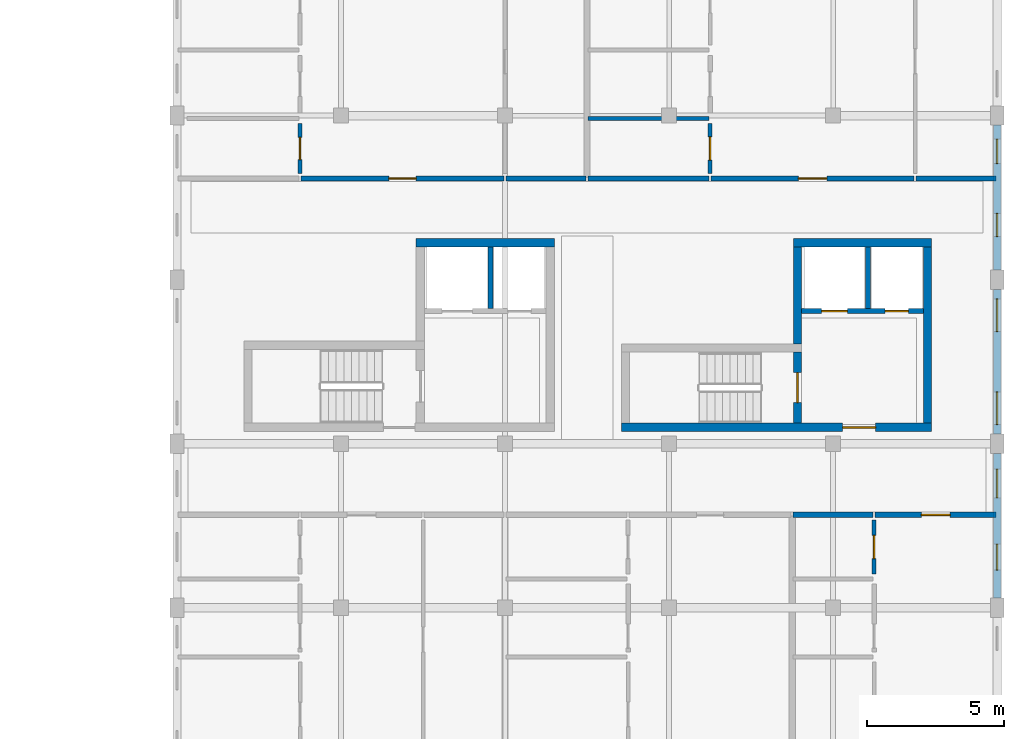
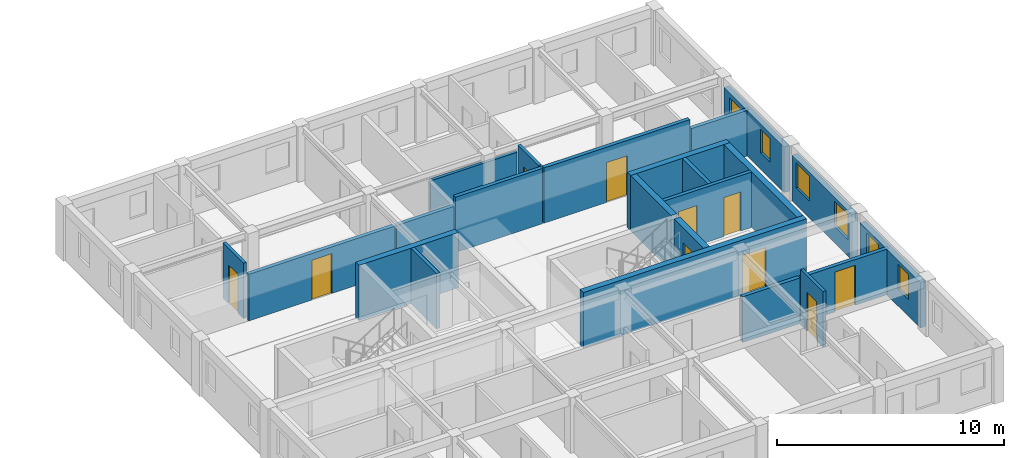
# One storey, part 22 of 28: 23 walls, 10 doors, 6 windows, 16 openings.
"""IFC4 building model written with IfcOpenShell, lengths in metres."""

from ifc_helpers import new_model, si_unit, direction, frame, frame_2d, origin, place, context, subcontext, project, spatial, rectangle, extrude, material, layer, layer_set, type_object, element, fill, save


model = new_model("IFC4")

# Units and contexts
model_context = context("Model", 3, precision=1e-05, world=origin(), true_north=direction((0.0, 1.0)))
body_context = subcontext(model_context, "Body", "Model", "MODEL_VIEW")
ifc_project = project(units=[si_unit("LENGTHUNIT", "METRE"), si_unit("AREAUNIT", "SQUARE_METRE"), si_unit("VOLUMEUNIT", "CUBIC_METRE"), si_unit("PLANEANGLEUNIT", "RADIAN"), si_unit("MASSUNIT", "GRAM", prefix="KILO"), si_unit("POWERUNIT", "WATT"), si_unit("THERMODYNAMICTEMPERATUREUNIT", "KELVIN")], contexts=[model_context])

# Site, building, storey
site_placement = place(None, origin())
site = spatial("IfcSite", under=ifc_project, at=site_placement, CompositionType="ELEMENT")
building_placement = place(site_placement, origin())
building = spatial("IfcBuilding", under=site, at=building_placement, Name="Ruvembo Vaulted Housing Court", CompositionType="ELEMENT")
storey_placement = place(building_placement, frame((0.0, 0.0, 23.699951171875)))
storey = spatial("IfcBuildingStorey", under=building, at=storey_placement, Name="L07", CompositionType="ELEMENT", Elevation=23.699951171875)

# Wall
ifc_material_1 = material(Name="Concrete C35/45", Category="concrete")
ifc_layer_1 = layer(ifc_material_1, 0.300048828125, Name="Concrete C35/45")
ifc_layer_set_1 = layer_set([ifc_layer_1], Name="Concrete C35/45")
wall_type_1 = type_object("IfcWallType", Name="WL-CORE-300", PredefinedType="SHEAR", material=ifc_layer_set_1)
wall_1_placement = place(storey_placement, frame((169.800048828125, 91.35009765625, 0.0), z_axis=(0.0, 0.0, 1.0), x_axis=(-1.0, 0.0, 0.0)))
element("IfcWall", 1, at=wall_1_placement, inside=storey, type_object=wall_type_1, Name="Core D1 L07 North Shear Wall", PredefinedType="SHEAR", context=body_context, shape_type="SweptSolid", body=[
    extrude(rectangle(XDim=5.050048828125, YDim=0.300048828125, at=frame_2d((2.52490234375, 0.0))), origin(), (0.0, 0.0, 1.0), 2.97509765625),
])

# Wall, opening, door
wall_2_placement = place(storey_placement, frame((172.25, 84.60009765625, 0.0), z_axis=(0.0, 0.0, 1.0), x_axis=(1.0, 0.0, 0.0)))
wall_2 = element("IfcWall", 2, at=wall_2_placement, inside=storey, type_object=wall_type_1, Name="Core D2 L07 South Shear Wall", PredefinedType="SHEAR", context=body_context, shape_type="SweptSolid", body=[
    extrude(rectangle(XDim=11.35009765625, YDim=0.300048828125, at=frame_2d((5.675048828125, 0.0))), origin(), (0.0, 0.0, 1.0), 2.97509765625),
])
opening_1_placement = place(wall_2_placement, frame((8.10009765625, 0.0, 0.0)))
opening_1 = element("IfcOpeningElement", 3, at=opening_1_placement, cuts=wall_2, Name="Opening LD3", PredefinedType="OPENING", context=body_context, shape_type="SweptSolid", body=[
    extrude(rectangle(XDim=1.199951171875, YDim=2.14990234375, at=frame_2d((0.60009765625, 1.074951171875))), frame((0.0, 0.159912109375, 0.0), z_axis=(0.0, -1.0, 0.0), x_axis=(1.0, 0.0, 0.0)), (0.0, 0.0, 1.0), 0.320068359375),
])
ifc_material_2 = material(Name="Galvanised Painted Steel", Category="steel")
door_type_1 = type_object("IfcDoorType", Name="DR-LOB-1200x2150", OperationType="NOTDEFINED", PredefinedType="DOOR", material=ifc_material_2)
door_1_placement = place(opening_1_placement, origin())
door_1 = element("IfcDoor", 4, at=door_1_placement, inside=storey, type_object=door_type_1, Name="Core D2 L07 Lobby Fire Door", OperationType="SINGLE_SWING_LEFT", OverallHeight=2.14990234375, OverallWidth=1.199951171875, PredefinedType="DOOR", context=body_context, shape_type="SweptSolid", body=[
    extrude(rectangle(XDim=1.199951171875, YDim=2.14990234375, at=frame_2d((0.60009765625, 1.074951171875))), frame((0.0, 0.02490234375, 0.0), z_axis=(0.0, -1.0, 0.0), x_axis=(1.0, 0.0, 0.0)), (0.0, 0.0, 1.0), 0.050048828125),
])
fill(opening_1, door_1)

wall_3_placement = place(storey_placement, frame((178.699951171875, 84.75, 0.0), z_axis=(0.0, 0.0, 1.0), x_axis=(0.0, 1.0, 0.0)))
wall_3 = element("IfcWall", 5, at=wall_3_placement, inside=storey, type_object=wall_type_1, Name="Core D2 L07 Stair-Lobby Shear Wall", PredefinedType="SHEAR", context=body_context, shape_type="SweptSolid", body=[
    extrude(rectangle(XDim=2.60009765625, YDim=0.300048828125, at=frame_2d((1.300048828125, 0.0))), origin(), (0.0, 0.0, 1.0), 2.97509765625),
])
opening_2_placement = place(wall_3_placement, frame((0.75, 0.0, 0.0)))
opening_2 = element("IfcOpeningElement", 6, at=opening_2_placement, cuts=wall_3, Name="Opening SD2", PredefinedType="OPENING", context=body_context, shape_type="SweptSolid", body=[
    extrude(rectangle(XDim=1.10009765625, YDim=2.14990234375, at=frame_2d((0.550048828125, 1.074951171875))), frame((0.0, 0.159912109375, 0.0), z_axis=(0.0, -1.0, 0.0), x_axis=(1.0, 0.0, 0.0)), (0.0, 0.0, 1.0), 0.320068359375),
])
door_type_2 = type_object("IfcDoorType", Name="DR-STAIR-1100x2150", OperationType="NOTDEFINED", PredefinedType="DOOR", material=ifc_material_2)
door_2_placement = place(opening_2_placement, origin())
door_2 = element("IfcDoor", 7, at=door_2_placement, inside=storey, type_object=door_type_2, Name="Stair ST-D2 L07 Fire Door", OperationType="SINGLE_SWING_RIGHT", OverallHeight=2.14990234375, OverallWidth=1.10009765625, PredefinedType="DOOR", context=body_context, shape_type="SweptSolid", body=[
    extrude(rectangle(XDim=1.10009765625, YDim=2.14990234375, at=frame_2d((0.550048828125, 1.074951171875))), frame((0.0, 0.02490234375, 0.0), z_axis=(0.0, -1.0, 0.0), x_axis=(1.0, 0.0, 0.0)), (0.0, 0.0, 1.0), 0.050048828125),
])
fill(opening_2, door_2)

# Walls
wall_4_placement = place(storey_placement, frame((183.60009765625, 91.35009765625, 0.0), z_axis=(0.0, 0.0, 1.0), x_axis=(-1.0, 0.0, 0.0)))
element("IfcWall", 8, at=wall_4_placement, inside=storey, type_object=wall_type_1, Name="Core D2 L07 North Shear Wall", PredefinedType="SHEAR", context=body_context, shape_type="SweptSolid", body=[
    extrude(rectangle(XDim=5.050048828125, YDim=0.300048828125, at=frame_2d((2.52490234375, 0.0))), origin(), (0.0, 0.0, 1.0), 2.97509765625),
])
wall_5_placement = place(storey_placement, frame((183.449951171875, 84.75, 0.0), z_axis=(0.0, 0.0, 1.0), x_axis=(0.0, 1.0, 0.0)))
element("IfcWall", 9, at=wall_5_placement, inside=storey, type_object=wall_type_1, Name="Core D2 L07 East Shear Wall", PredefinedType="SHEAR", context=body_context, shape_type="SweptSolid", body=[
    extrude(rectangle(XDim=6.449951171875, YDim=0.300048828125, at=frame_2d((3.22509765625, 0.0))), origin(), (0.0, 0.0, 1.0), 2.97509765625),
])
wall_6_placement = place(storey_placement, frame((178.699951171875, 87.64990234375, 0.0), z_axis=(0.0, 0.0, 1.0), x_axis=(0.0, 1.0, 0.0)))
element("IfcWall", 10, at=wall_6_placement, inside=storey, type_object=wall_type_1, Name="Core D2 L07 Upper West Shear Wall", PredefinedType="SHEAR", context=body_context, shape_type="SweptSolid", body=[
    extrude(rectangle(XDim=3.550048828125, YDim=0.300048828125, at=frame_2d((1.77490234375, 0.0))), origin(), (0.0, 0.0, 1.0), 2.97509765625),
])
ifc_material_3 = material(Name="Concrete Blockwork 190", Category="masonry")
ifc_layer_2 = layer(ifc_material_3, 0.18994140625, Name="Concrete Blockwork 190")
ifc_layer_set_2 = layer_set([ifc_layer_2], Name="Concrete Blockwork 190")
wall_type_2 = type_object("IfcWallType", Name="WL-CORR-190", PredefinedType="SOLIDWALL", material=ifc_layer_set_2)
wall_7_placement = place(storey_placement, frame((178.5400390625, 81.39990234375, 0.0), z_axis=(0.0, 0.0, 1.0), x_axis=(1.0, 0.0, 0.0)))
element("IfcWall", 11, at=wall_7_placement, inside=storey, type_object=wall_type_2, Name="L07 Flat D-L07-S3 Corridor Wall WL-INT-L07-01991", PredefinedType="SOLIDWALL", context=body_context, shape_type="SweptSolid", body=[
    extrude(rectangle(XDim=2.919921875, YDim=0.18994140625, at=frame_2d((1.4599609375, 0.0))), origin(), (0.0, 0.0, 1.0), 2.4580078125),
])

# Wall, opening, door
wall_8_placement = place(storey_placement, frame((181.5400390625, 81.39990234375, 0.0), z_axis=(0.0, 0.0, 1.0), x_axis=(1.0, 0.0, 0.0)))
wall_8 = element("IfcWall", 12, at=wall_8_placement, inside=storey, type_object=wall_type_2, Name="L07 Flat D-L07-S3 Entrance WL-INT-L07-01992", PredefinedType="SOLIDWALL", context=body_context, shape_type="SweptSolid", body=[
    extrude(rectangle(XDim=4.419921875, YDim=0.18994140625, at=frame_2d((2.2099609375, 0.0))), origin(), (0.0, 0.0, 1.0), 2.45703125),
])
opening_3_placement = place(wall_8_placement, frame((1.68505859375, 0.0, 0.0)))
opening_3 = element("IfcOpeningElement", 13, at=opening_3_placement, cuts=wall_8, Name="Opening FD3", PredefinedType="OPENING", context=body_context, shape_type="SweptSolid", body=[
    extrude(rectangle(XDim=1.050048828125, YDim=2.14990234375, at=frame_2d((0.52490234375, 1.074951171875))), frame((0.0, 0.10498046875, 0.0), z_axis=(0.0, -1.0, 0.0), x_axis=(1.0, 0.0, 0.0)), (0.0, 0.0, 1.0), 0.2099609375),
])
ifc_material_4 = material(Name="FSC Hardwood and Engineered Timber", Category="wood")
door_type_3 = type_object("IfcDoorType", Name="DR-FLAT-1050x2150", OperationType="NOTDEFINED", PredefinedType="DOOR", material=ifc_material_4)
door_3_placement = place(opening_3_placement, origin())
door_3 = element("IfcDoor", 14, at=door_3_placement, inside=storey, type_object=door_type_3, Name="L07 Flat D-L07-S3 Entrance Door DR-INT-L07-01115", OperationType="SINGLE_SWING_LEFT", OverallHeight=2.14990234375, OverallWidth=1.050048828125, PredefinedType="DOOR", context=body_context, shape_type="SweptSolid", body=[
    extrude(rectangle(XDim=1.050048828125, YDim=2.14990234375, at=frame_2d((0.52490234375, 1.074951171875))), frame((0.0, 0.02490234375, 0.0), z_axis=(0.0, -1.0, 0.0), x_axis=(1.0, 0.0, 0.0)), (0.0, 0.0, 1.0), 0.050048828125),
])
fill(opening_3, door_3)

wall_9_placement = place(storey_placement, frame((160.5400390625, 93.699951171875, 0.0), z_axis=(0.0, 0.0, 1.0), x_axis=(1.0, 0.0, 0.0)))
wall_9 = element("IfcWall", 15, at=wall_9_placement, inside=storey, type_object=wall_type_2, Name="L07 Flat D-L07-N1 Entrance WL-INT-L07-02000", PredefinedType="SOLIDWALL", context=body_context, shape_type="SweptSolid", body=[
    extrude(rectangle(XDim=7.419921875, YDim=0.18994140625, at=frame_2d((3.7099609375, 0.0))), origin(), (0.0, 0.0, 1.0), 2.508056640625),
])
opening_4_placement = place(wall_9_placement, frame((3.2099609375, 0.0, 0.0)))
opening_4 = element("IfcOpeningElement", 16, at=opening_4_placement, cuts=wall_9, Name="Opening FD1", PredefinedType="OPENING", context=body_context, shape_type="SweptSolid", body=[
    extrude(rectangle(XDim=1.0, YDim=2.14990234375, at=frame_2d((0.5, 1.074951171875))), frame((0.0, 0.10498046875, 0.0), z_axis=(0.0, -1.0, 0.0), x_axis=(1.0, 0.0, 0.0)), (0.0, 0.0, 1.0), 0.2099609375),
])
door_type_4 = type_object("IfcDoorType", Name="DR-FLAT-1000x2150", OperationType="NOTDEFINED", PredefinedType="DOOR", material=ifc_material_4)
door_4_placement = place(opening_4_placement, origin())
door_4 = element("IfcDoor", 17, at=door_4_placement, inside=storey, type_object=door_type_4, Name="L07 Flat D-L07-N1 Entrance Door DR-INT-L07-01119", OperationType="SINGLE_SWING_LEFT", OverallHeight=2.14990234375, OverallWidth=1.0, PredefinedType="DOOR", context=body_context, shape_type="SweptSolid", body=[
    extrude(rectangle(XDim=1.0, YDim=2.14990234375, at=frame_2d((0.5, 1.074951171875))), frame((0.0, 0.02490234375, 0.0), z_axis=(0.0, -1.0, 0.0), x_axis=(1.0, 0.0, 0.0)), (0.0, 0.0, 1.0), 0.050048828125),
])
fill(opening_4, door_4)

# Walls
wall_10_placement = place(storey_placement, frame((168.0400390625, 93.699951171875, 0.0), z_axis=(0.0, 0.0, 1.0), x_axis=(1.0, 0.0, 0.0)))
element("IfcWall", 18, at=wall_10_placement, inside=storey, type_object=wall_type_2, Name="L07 Flat D-L07-N1 Corridor Wall 2 WL-INT-L07-02006", PredefinedType="SOLIDWALL", context=body_context, shape_type="SweptSolid", body=[
    extrude(rectangle(XDim=2.919921875, YDim=0.18994140625, at=frame_2d((1.4599609375, 0.0))), origin(), (0.0, 0.0, 1.0), 2.508056640625),
])
wall_11_placement = place(storey_placement, frame((171.0400390625, 93.699951171875, 0.0), z_axis=(0.0, 0.0, 1.0), x_axis=(1.0, 0.0, 0.0)))
element("IfcWall", 19, at=wall_11_placement, inside=storey, type_object=wall_type_2, Name="L07 Flat D-L07-N2 Corridor Wall WL-INT-L07-02008", PredefinedType="SOLIDWALL", context=body_context, shape_type="SweptSolid", body=[
    extrude(rectangle(XDim=4.419921875, YDim=0.18994140625, at=frame_2d((2.2099609375, 0.0))), origin(), (0.0, 0.0, 1.0), 2.97509765625),
])

# Wall, opening, door
wall_12_placement = place(storey_placement, frame((175.5400390625, 93.699951171875, 0.0), z_axis=(0.0, 0.0, 1.0), x_axis=(1.0, 0.0, 0.0)))
wall_12 = element("IfcWall", 20, at=wall_12_placement, inside=storey, type_object=wall_type_2, Name="L07 Flat D-L07-N2 Entrance WL-INT-L07-02009", PredefinedType="SOLIDWALL", context=body_context, shape_type="SweptSolid", body=[
    extrude(rectangle(XDim=7.419921875, YDim=0.18994140625, at=frame_2d((3.7099609375, 0.0))), origin(), (0.0, 0.0, 1.0), 2.97509765625),
])
opening_5_placement = place(wall_12_placement, frame((3.18505859375, 0.0, 0.0)))
opening_5 = element("IfcOpeningElement", 21, at=opening_5_placement, cuts=wall_12, Name="Opening FD3", PredefinedType="OPENING", context=body_context, shape_type="SweptSolid", body=[
    extrude(rectangle(XDim=1.050048828125, YDim=2.14990234375, at=frame_2d((0.52490234375, 1.074951171875))), frame((0.0, 0.10498046875, 0.0), z_axis=(0.0, -1.0, 0.0), x_axis=(1.0, 0.0, 0.0)), (0.0, 0.0, 1.0), 0.2099609375),
])
door_5_placement = place(opening_5_placement, origin())
door_5 = element("IfcDoor", 22, at=door_5_placement, inside=storey, type_object=door_type_3, Name="L07 Flat D-L07-N2 Entrance Door DR-INT-L07-01124", OperationType="SINGLE_SWING_RIGHT", OverallHeight=2.14990234375, OverallWidth=1.050048828125, PredefinedType="DOOR", context=body_context, shape_type="SweptSolid", body=[
    extrude(rectangle(XDim=1.050048828125, YDim=2.14990234375, at=frame_2d((0.52490234375, 1.074951171875))), frame((0.0, 0.02490234375, 0.0), z_axis=(0.0, -1.0, 0.0), x_axis=(1.0, 0.0, 0.0)), (0.0, 0.0, 1.0), 0.050048828125),
])
fill(opening_5, door_5)

# Wall
wall_13_placement = place(storey_placement, frame((183.0400390625, 93.699951171875, 0.0), z_axis=(0.0, 0.0, 1.0), x_axis=(1.0, 0.0, 0.0)))
element("IfcWall", 23, at=wall_13_placement, inside=storey, type_object=wall_type_2, Name="L07 Flat D-L07-N2 Corridor Wall 2 WL-INT-L07-02015", PredefinedType="SOLIDWALL", context=body_context, shape_type="SweptSolid", body=[
    extrude(rectangle(XDim=2.919921875, YDim=0.18994140625, at=frame_2d((1.4599609375, 0.0))), origin(), (0.0, 0.0, 1.0), 2.45703125),
])

# Wall, openings, windows
ifc_material_5 = material(Name="Rendered Masonry 270", Category="masonry")
ifc_layer_3 = layer(ifc_material_5, 0.27001953125, Name="Rendered Masonry 270")
ifc_layer_set_3 = layer_set([ifc_layer_3], Name="Rendered Masonry 270")
wall_type_3 = type_object("IfcWallType", Name="WL-EXT-270", PredefinedType="STANDARD", material=ifc_layer_set_3)
wall_14_placement = place(storey_placement, frame((186.0, 78.35009765625, 0.0), z_axis=(0.0, 0.0, 1.0), x_axis=(0.0, 1.0, 0.0)))
wall_14 = element("IfcWall", 24, at=wall_14_placement, inside=storey, type_object=wall_type_3, Name="Block D L07 Exterior Wall EAST #2", PredefinedType="STANDARD", context=body_context, shape_type="SweptSolid", body=[
    extrude(rectangle(XDim=5.2998046875, YDim=0.27001953125, at=frame_2d((2.64990234375, 0.0))), origin(), (0.0, 0.0, 1.0), 2.45703125),
])
opening_6_placement = place(wall_14_placement, frame((1.030029296875, 0.0, 0.89990234375)))
opening_6 = element("IfcOpeningElement", 25, at=opening_6_placement, cuts=wall_14, Name="Opening W07", PredefinedType="OPENING", context=body_context, shape_type="SweptSolid", body=[
    extrude(rectangle(XDim=0.949951171875, YDim=1.35009765625, at=frame_2d((0.47509765625, 0.675048828125))), frame((0.0, 0.14501953125, 0.0), z_axis=(0.0, -1.0, 0.0), x_axis=(1.0, 0.0, 0.0)), (0.0, 0.0, 1.0), 0.2900390625),
])
opening_7_placement = place(wall_14_placement, frame((3.669921875, 0.0, 0.89990234375)))
opening_7 = element("IfcOpeningElement", 26, at=opening_7_placement, cuts=wall_14, Name="Opening W09", PredefinedType="OPENING", context=body_context, shape_type="SweptSolid", body=[
    extrude(rectangle(XDim=1.050048828125, YDim=1.35009765625, at=frame_2d((0.52490234375, 0.675048828125))), frame((0.0, 0.14501953125, 0.0), z_axis=(0.0, -1.0, 0.0), x_axis=(1.0, 0.0, 0.0)), (0.0, 0.0, 1.0), 0.2900390625),
])
ifc_material_6 = material(Name="Double Solar-Control Glazing in Aluminium Frame", Category="aluminium")
window_type_1 = type_object("IfcWindowType", Name="WIN-0950x1350", PartitioningType="SINGLE_PANEL", PredefinedType="WINDOW", material=ifc_material_6)
window_1_placement = place(opening_6_placement, origin())
window_1 = element("IfcWindow", 27, at=window_1_placement, inside=storey, type_object=window_type_1, Name="Block D L07 Window #1755", OverallHeight=1.35009765625, OverallWidth=0.949951171875, PartitioningType="SINGLE_PANEL", PredefinedType="WINDOW", context=body_context, shape_type="SweptSolid", body=[
    extrude(rectangle(XDim=0.949951171875, YDim=1.35009765625, at=frame_2d((0.47509765625, 0.675048828125))), frame((0.0, 0.030029296875, 0.0), z_axis=(0.0, -1.0, 0.0), x_axis=(1.0, 0.0, 0.0)), (0.0, 0.0, 1.0), 0.06005859375),
])
fill(opening_6, window_1)
window_type_2 = type_object("IfcWindowType", Name="WIN-1050x1350", PartitioningType="SINGLE_PANEL", PredefinedType="WINDOW", material=ifc_material_6)
window_2_placement = place(opening_7_placement, origin())
window_2 = element("IfcWindow", 28, at=window_2_placement, inside=storey, type_object=window_type_2, Name="Block D L07 Window #1756", OverallHeight=1.35009765625, OverallWidth=1.050048828125, PartitioningType="SINGLE_PANEL", PredefinedType="WINDOW", context=body_context, shape_type="SweptSolid", body=[
    extrude(rectangle(XDim=1.050048828125, YDim=1.35009765625, at=frame_2d((0.52490234375, 0.675048828125))), frame((0.0, 0.030029296875, 0.0), z_axis=(0.0, -1.0, 0.0), x_axis=(1.0, 0.0, 0.0)), (0.0, 0.0, 1.0), 0.06005859375),
])
fill(opening_7, window_2)

wall_15_placement = place(storey_placement, frame((186.0, 84.35009765625, 0.0), z_axis=(0.0, 0.0, 1.0), x_axis=(0.0, 1.0, 0.0)))
wall_15 = element("IfcWall", 29, at=wall_15_placement, inside=storey, type_object=wall_type_3, Name="Block D L07 Exterior Wall EAST #3", PredefinedType="STANDARD", context=body_context, shape_type="SweptSolid", body=[
    extrude(rectangle(XDim=5.2998046875, YDim=0.27001953125, at=frame_2d((2.64990234375, 0.0))), origin(), (0.0, 0.0, 1.0), 2.45703125),
])
opening_8_placement = place(wall_15_placement, frame((0.35009765625, 0.0, 0.89990234375)))
opening_8 = element("IfcOpeningElement", 30, at=opening_8_placement, cuts=wall_15, Name="Opening W12", PredefinedType="OPENING", context=body_context, shape_type="SweptSolid", body=[
    extrude(rectangle(XDim=1.199951171875, YDim=1.35009765625, at=frame_2d((0.60009765625, 0.675048828125))), frame((0.0, 0.14501953125, 0.0), z_axis=(0.0, -1.0, 0.0), x_axis=(1.0, 0.0, 0.0)), (0.0, 0.0, 1.0), 0.2900390625),
])
opening_9_placement = place(wall_15_placement, frame((3.75, 0.0, 0.89990234375)))
opening_9 = element("IfcOpeningElement", 31, at=opening_9_placement, cuts=wall_15, Name="Opening W12", PredefinedType="OPENING", context=body_context, shape_type="SweptSolid", body=[
    extrude(rectangle(XDim=1.199951171875, YDim=1.35009765625, at=frame_2d((0.60009765625, 0.675048828125))), frame((0.0, 0.14501953125, 0.0), z_axis=(0.0, -1.0, 0.0), x_axis=(1.0, 0.0, 0.0)), (0.0, 0.0, 1.0), 0.2900390625),
])
window_type_3 = type_object("IfcWindowType", Name="WIN-1200x1350", PartitioningType="SINGLE_PANEL", PredefinedType="WINDOW", material=ifc_material_6)
window_3_placement = place(opening_8_placement, origin())
window_3 = element("IfcWindow", 32, at=window_3_placement, inside=storey, type_object=window_type_3, Name="Block D L07 Window #1757", OverallHeight=1.35009765625, OverallWidth=1.199951171875, PartitioningType="SINGLE_PANEL", PredefinedType="WINDOW", context=body_context, shape_type="SweptSolid", body=[
    extrude(rectangle(XDim=1.199951171875, YDim=1.35009765625, at=frame_2d((0.60009765625, 0.675048828125))), frame((0.0, 0.030029296875, 0.0), z_axis=(0.0, -1.0, 0.0), x_axis=(1.0, 0.0, 0.0)), (0.0, 0.0, 1.0), 0.06005859375),
])
fill(opening_8, window_3)
window_4_placement = place(opening_9_placement, origin())
window_4 = element("IfcWindow", 33, at=window_4_placement, inside=storey, type_object=window_type_3, Name="Block D L07 Window #1758", OverallHeight=1.35009765625, OverallWidth=1.199951171875, PartitioningType="SINGLE_PANEL", PredefinedType="WINDOW", context=body_context, shape_type="SweptSolid", body=[
    extrude(rectangle(XDim=1.199951171875, YDim=1.35009765625, at=frame_2d((0.60009765625, 0.675048828125))), frame((0.0, 0.030029296875, 0.0), z_axis=(0.0, -1.0, 0.0), x_axis=(1.0, 0.0, 0.0)), (0.0, 0.0, 1.0), 0.06005859375),
])
fill(opening_9, window_4)

wall_16_placement = place(storey_placement, frame((186.0, 90.35009765625, 0.0), z_axis=(0.0, 0.0, 1.0), x_axis=(0.0, 1.0, 0.0)))
wall_16 = element("IfcWall", 34, at=wall_16_placement, inside=storey, type_object=wall_type_3, Name="Block D L07 Exterior Wall EAST #4", PredefinedType="STANDARD", context=body_context, shape_type="SweptSolid", body=[
    extrude(rectangle(XDim=5.2998046875, YDim=0.27001953125, at=frame_2d((2.64990234375, 0.0))), origin(), (0.0, 0.0, 1.0), 2.45703125),
])
opening_10_placement = place(wall_16_placement, frame((1.22998046875, 0.0, 0.89990234375)))
opening_10 = element("IfcOpeningElement", 35, at=opening_10_placement, cuts=wall_16, Name="Opening W03", PredefinedType="OPENING", context=body_context, shape_type="SweptSolid", body=[
    extrude(rectangle(XDim=0.85009765625, YDim=1.25, at=frame_2d((0.425048828125, 0.625))), frame((0.0, 0.14501953125, 0.0), z_axis=(0.0, -1.0, 0.0), x_axis=(1.0, 0.0, 0.0)), (0.0, 0.0, 1.0), 0.2900390625),
])
opening_11_placement = place(wall_16_placement, frame((3.89501953125, 0.0, 0.89990234375)))
opening_11 = element("IfcOpeningElement", 36, at=opening_11_placement, cuts=wall_16, Name="Opening W04", PredefinedType="OPENING", context=body_context, shape_type="SweptSolid", body=[
    extrude(rectangle(XDim=0.89990234375, YDim=1.300048828125, at=frame_2d((0.449951171875, 0.64990234375))), frame((0.0, 0.14501953125, 0.0), z_axis=(0.0, -1.0, 0.0), x_axis=(1.0, 0.0, 0.0)), (0.0, 0.0, 1.0), 0.2900390625),
])
window_type_4 = type_object("IfcWindowType", Name="WIN-0850x1250", PartitioningType="SINGLE_PANEL", PredefinedType="WINDOW", material=ifc_material_6)
window_5_placement = place(opening_10_placement, origin())
window_5 = element("IfcWindow", 37, at=window_5_placement, inside=storey, type_object=window_type_4, Name="Block D L07 Window #1759", OverallHeight=1.25, OverallWidth=0.85009765625, PartitioningType="SINGLE_PANEL", PredefinedType="WINDOW", context=body_context, shape_type="SweptSolid", body=[
    extrude(rectangle(XDim=0.85009765625, YDim=1.25, at=frame_2d((0.425048828125, 0.625))), frame((0.0, 0.030029296875, 0.0), z_axis=(0.0, -1.0, 0.0), x_axis=(1.0, 0.0, 0.0)), (0.0, 0.0, 1.0), 0.06005859375),
])
fill(opening_10, window_5)
window_type_5 = type_object("IfcWindowType", Name="WIN-0900x1300", PartitioningType="SINGLE_PANEL", PredefinedType="WINDOW", material=ifc_material_6)
window_6_placement = place(opening_11_placement, origin())
window_6 = element("IfcWindow", 38, at=window_6_placement, inside=storey, type_object=window_type_5, Name="Block D L07 Window #1760", OverallHeight=1.300048828125, OverallWidth=0.89990234375, PartitioningType="SINGLE_PANEL", PredefinedType="WINDOW", context=body_context, shape_type="SweptSolid", body=[
    extrude(rectangle(XDim=0.89990234375, YDim=1.300048828125, at=frame_2d((0.449951171875, 0.64990234375))), frame((0.0, 0.030029296875, 0.0), z_axis=(0.0, -1.0, 0.0), x_axis=(1.0, 0.0, 0.0)), (0.0, 0.0, 1.0), 0.06005859375),
])
fill(opening_11, window_6)

# Wall, opening, door
ifc_material_7 = material(Name="Moisture-Resistant Wet Partition 150", Category="gypsum")
ifc_layer_4 = layer(ifc_material_7, 0.14990234375, Name="Moisture-Resistant Wet Partition 150")
ifc_layer_set_4 = layer_set([ifc_layer_4], Name="Moisture-Resistant Wet Partition 150")
wall_type_4 = type_object("IfcWallType", Name="WL-PART-150", PredefinedType="PARTITIONING", material=ifc_layer_set_4)
wall_17_placement = place(storey_placement, frame((181.5, 79.239990234375, 0.0), z_axis=(0.0, 0.0, 1.0), x_axis=(0.0, 1.0, 0.0)))
wall_17 = element("IfcWall", 39, at=wall_17_placement, inside=storey, type_object=wall_type_4, Name="L07 Flat D-L07-S3 Bathroom WL-INT-L07-01995", PredefinedType="PARTITIONING", context=body_context, shape_type="SweptSolid", body=[
    extrude(rectangle(XDim=1.969970703125, YDim=0.14990234375, at=frame_2d((0.98486328125, 0.0))), origin(), (0.0, 0.0, 1.0), 2.97509765625),
])
opening_12_placement = place(wall_17_placement, frame((0.56005859375, 0.0, 0.0)))
opening_12 = element("IfcOpeningElement", 40, at=opening_12_placement, cuts=wall_17, Name="Opening ID2", PredefinedType="OPENING", context=body_context, shape_type="SweptSolid", body=[
    extrude(rectangle(XDim=0.85009765625, YDim=2.10009765625, at=frame_2d((0.425048828125, 1.050048828125))), frame((0.0, 0.0849609375, 0.0), z_axis=(0.0, -1.0, 0.0), x_axis=(1.0, 0.0, 0.0)), (0.0, 0.0, 1.0), 0.169921875),
])
door_type_5 = type_object("IfcDoorType", Name="DR-WET-0850x2100", OperationType="NOTDEFINED", PredefinedType="DOOR", material=ifc_material_4)
door_6_placement = place(opening_12_placement, origin())
door_6 = element("IfcDoor", 41, at=door_6_placement, inside=storey, type_object=door_type_5, Name="L07 Flat D-L07-S3 Bathroom Door DR-INT-L07-01118", OperationType="SINGLE_SWING_RIGHT", OverallHeight=2.10009765625, OverallWidth=0.85009765625, PredefinedType="DOOR", context=body_context, shape_type="SweptSolid", body=[
    extrude(rectangle(XDim=0.85009765625, YDim=2.10009765625, at=frame_2d((0.425048828125, 1.050048828125))), frame((0.0, 0.02490234375, 0.0), z_axis=(0.0, -1.0, 0.0), x_axis=(1.0, 0.0, 0.0)), (0.0, 0.0, 1.0), 0.050048828125),
])
fill(opening_12, door_6)

wall_18_placement = place(storey_placement, frame((160.5, 93.889892578125, 0.0), z_axis=(0.0, 0.0, 1.0), x_axis=(0.0, 1.0, 0.0)))
wall_18 = element("IfcWall", 42, at=wall_18_placement, inside=storey, type_object=wall_type_4, Name="L07 Flat D-L07-N1 Bathroom WL-INT-L07-02003", PredefinedType="PARTITIONING", context=body_context, shape_type="SweptSolid", body=[
    extrude(rectangle(XDim=1.820068359375, YDim=0.14990234375, at=frame_2d((0.91015625, 0.0))), origin(), (0.0, 0.0, 1.0), 2.97509765625),
])
opening_13_placement = place(wall_18_placement, frame((0.5, 0.0, 0.0)))
opening_13 = element("IfcOpeningElement", 43, at=opening_13_placement, cuts=wall_18, Name="Opening ID4", PredefinedType="OPENING", context=body_context, shape_type="SweptSolid", body=[
    extrude(rectangle(XDim=0.820068359375, YDim=2.080078125, at=frame_2d((0.41015625, 1.0400390625))), frame((0.0, 0.0849609375, 0.0), z_axis=(0.0, -1.0, 0.0), x_axis=(1.0, 0.0, 0.0)), (0.0, 0.0, 1.0), 0.169921875),
])
door_type_6 = type_object("IfcDoorType", Name="DR-WET-0820x2080", OperationType="NOTDEFINED", PredefinedType="DOOR", material=ifc_material_4)
door_7_placement = place(opening_13_placement, origin())
door_7 = element("IfcDoor", 44, at=door_7_placement, inside=storey, type_object=door_type_6, Name="L07 Flat D-L07-N1 Bathroom Door DR-INT-L07-01122", OperationType="SINGLE_SWING_RIGHT", OverallHeight=2.080078125, OverallWidth=0.820068359375, PredefinedType="DOOR", context=body_context, shape_type="SweptSolid", body=[
    extrude(rectangle(XDim=0.820068359375, YDim=2.080078125, at=frame_2d((0.41015625, 1.0400390625))), frame((0.0, 0.02490234375, 0.0), z_axis=(0.0, -1.0, 0.0), x_axis=(1.0, 0.0, 0.0)), (0.0, 0.0, 1.0), 0.050048828125),
])
fill(opening_13, door_7)

wall_19_placement = place(storey_placement, frame((175.5, 93.889892578125, 0.0), z_axis=(0.0, 0.0, 1.0), x_axis=(0.0, 1.0, 0.0)))
wall_19 = element("IfcWall", 45, at=wall_19_placement, inside=storey, type_object=wall_type_4, Name="L07 Flat D-L07-N2 Bathroom WL-INT-L07-02012", PredefinedType="PARTITIONING", context=body_context, shape_type="SweptSolid", body=[
    extrude(rectangle(XDim=1.820068359375, YDim=0.14990234375, at=frame_2d((0.91015625, 0.0))), origin(), (0.0, 0.0, 1.0), 2.97509765625),
])
opening_14_placement = place(wall_19_placement, frame((0.485107421875, 0.0, 0.0)))
opening_14 = element("IfcOpeningElement", 46, at=opening_14_placement, cuts=wall_19, Name="Opening ID2", PredefinedType="OPENING", context=body_context, shape_type="SweptSolid", body=[
    extrude(rectangle(XDim=0.85009765625, YDim=2.10009765625, at=frame_2d((0.425048828125, 1.050048828125))), frame((0.0, 0.0849609375, 0.0), z_axis=(0.0, -1.0, 0.0), x_axis=(1.0, 0.0, 0.0)), (0.0, 0.0, 1.0), 0.169921875),
])
door_8_placement = place(opening_14_placement, origin())
door_8 = element("IfcDoor", 47, at=door_8_placement, inside=storey, type_object=door_type_5, Name="L07 Flat D-L07-N2 Bathroom Door DR-INT-L07-01127", OperationType="SINGLE_SWING_LEFT", OverallHeight=2.10009765625, OverallWidth=0.85009765625, PredefinedType="DOOR", context=body_context, shape_type="SweptSolid", body=[
    extrude(rectangle(XDim=0.85009765625, YDim=2.10009765625, at=frame_2d((0.425048828125, 1.050048828125))), frame((0.0, 0.02490234375, 0.0), z_axis=(0.0, -1.0, 0.0), x_axis=(1.0, 0.0, 0.0)), (0.0, 0.0, 1.0), 0.050048828125),
])
fill(opening_14, door_8)

# Walls
wall_20_placement = place(storey_placement, frame((171.0400390625, 95.89990234375, 0.0), z_axis=(0.0, 0.0, 1.0), x_axis=(1.0, 0.0, 0.0)))
element("IfcWall", 48, at=wall_20_placement, inside=storey, type_object=wall_type_4, Name="L07 Flat D-L07-N2 Wet Wall 2 WL-INT-L07-02014", PredefinedType="PARTITIONING", context=body_context, shape_type="SweptSolid", body=[
    extrude(rectangle(XDim=4.419921875, YDim=0.14990234375, at=frame_2d((2.2099609375, 0.0))), origin(), (0.0, 0.0, 1.0), 2.508056640625),
])
ifc_material_8 = material(Name="Fire-Rated Masonry Shaft 180", Category="masonry")
ifc_layer_5 = layer(ifc_material_8, 0.179931640625, Name="Fire-Rated Masonry Shaft 180")
ifc_layer_set_5 = layer_set([ifc_layer_5], Name="Fire-Rated Masonry Shaft 180")
wall_type_5 = type_object("IfcWallType", Name="WL-SHAFT-180", PredefinedType="SOLIDWALL", material=ifc_layer_set_5)
wall_21_placement = place(storey_placement, frame((167.469970703125, 88.93994140625, 0.0), z_axis=(0.0, 0.0, 1.0), x_axis=(0.0, 1.0, 0.0)))
element("IfcWall", 49, at=wall_21_placement, inside=storey, type_object=wall_type_5, Name="Core D1 L07 Shaft-Riser Divider Wall", PredefinedType="SOLIDWALL", context=body_context, shape_type="SweptSolid", body=[
    extrude(rectangle(XDim=2.260009765625, YDim=0.179931640625, at=frame_2d((1.1298828125, 0.0))), origin(), (0.0, 0.0, 1.0), 2.97509765625),
])

# Wall, openings, doors
wall_22_placement = place(storey_placement, frame((178.85009765625, 88.85009765625, 0.0), z_axis=(0.0, 0.0, 1.0), x_axis=(1.0, 0.0, 0.0)))
wall_22 = element("IfcWall", 50, at=wall_22_placement, inside=storey, type_object=wall_type_5, Name="Core D2 L07 Lift and Riser Front Wall", PredefinedType="SOLIDWALL", context=body_context, shape_type="SweptSolid", body=[
    extrude(rectangle(XDim=4.449951171875, YDim=0.179931640625, at=frame_2d((2.22509765625, 0.0))), origin(), (0.0, 0.0, 1.0), 2.97509765625),
])
opening_15_placement = place(wall_22_placement, frame((0.72509765625, 0.0, 0.0)))
opening_15 = element("IfcOpeningElement", 51, at=opening_15_placement, cuts=wall_22, Name="Opening LD-LP-D2-L07", PredefinedType="OPENING", context=body_context, shape_type="SweptSolid", body=[
    extrude(rectangle(XDim=0.949951171875, YDim=2.14990234375, at=frame_2d((0.47509765625, 1.074951171875))), frame((0.0, 0.099853515625, 0.0), z_axis=(0.0, -1.0, 0.0), x_axis=(1.0, 0.0, 0.0)), (0.0, 0.0, 1.0), 0.199951171875),
])
opening_16_placement = place(wall_22_placement, frame((3.050048828125, 0.0, 0.0)))
opening_16 = element("IfcOpeningElement", 52, at=opening_16_placement, cuts=wall_22, Name="Opening RD1", PredefinedType="OPENING", context=body_context, shape_type="SweptSolid", body=[
    extrude(rectangle(XDim=0.85009765625, YDim=2.10009765625, at=frame_2d((0.425048828125, 1.050048828125))), frame((0.0, 0.099853515625, 0.0), z_axis=(0.0, -1.0, 0.0), x_axis=(1.0, 0.0, 0.0)), (0.0, 0.0, 1.0), 0.199951171875),
])
ifc_material_9 = material(Name="Brushed Stainless Steel 304", Category="steel")
door_type_7 = type_object("IfcDoorType", Name="DR-LIFT-0950x2150", OperationType="NOTDEFINED", PredefinedType="DOOR", material=ifc_material_9)
door_9_placement = place(opening_15_placement, origin())
door_9 = element("IfcDoor", 53, at=door_9_placement, inside=storey, type_object=door_type_7, Name="Lift LP-D2 L07 Sliding Landing Door", OperationType="SLIDING_TO_LEFT", OverallHeight=2.14990234375, OverallWidth=0.949951171875, PredefinedType="DOOR", context=body_context, shape_type="SweptSolid", body=[
    extrude(rectangle(XDim=0.949951171875, YDim=2.14990234375, at=frame_2d((0.47509765625, 1.074951171875))), frame((0.0, 0.02490234375, 0.0), z_axis=(0.0, -1.0, 0.0), x_axis=(1.0, 0.0, 0.0)), (0.0, 0.0, 1.0), 0.050048828125),
])
fill(opening_15, door_9)
door_type_8 = type_object("IfcDoorType", Name="DR-RISER-0850x2100", OperationType="NOTDEFINED", PredefinedType="DOOR", material=ifc_material_2)
door_10_placement = place(opening_16_placement, frame((0.85009765625, 0.0, 0.0), z_axis=(0.0, 0.0, 1.0), x_axis=(-1.0, 0.0, 0.0)))
door_10 = element("IfcDoor", 54, at=door_10_placement, inside=storey, type_object=door_type_8, Name="Core D2 L07 Service Riser Door", OperationType="SINGLE_SWING_LEFT", OverallHeight=2.10009765625, OverallWidth=0.85009765625, PredefinedType="DOOR", context=body_context, shape_type="SweptSolid", body=[
    extrude(rectangle(XDim=0.85009765625, YDim=2.10009765625, at=frame_2d((0.425048828125, 1.050048828125))), frame((0.0, 0.02490234375, 0.0), z_axis=(0.0, -1.0, 0.0), x_axis=(1.0, 0.0, 0.0)), (0.0, 0.0, 1.0), 0.050048828125),
])
fill(opening_16, door_10)

# Wall
wall_23_placement = place(storey_placement, frame((181.27001953125, 88.93994140625, 0.0), z_axis=(0.0, 0.0, 1.0), x_axis=(0.0, 1.0, 0.0)))
element("IfcWall", 55, at=wall_23_placement, inside=storey, type_object=wall_type_5, Name="Core D2 L07 Shaft-Riser Divider Wall", PredefinedType="SOLIDWALL", context=body_context, shape_type="SweptSolid", body=[
    extrude(rectangle(XDim=2.260009765625, YDim=0.179931640625, at=frame_2d((1.1298828125, 0.0))), origin(), (0.0, 0.0, 1.0), 2.97509765625),
])

save(model, "model.ifc")
